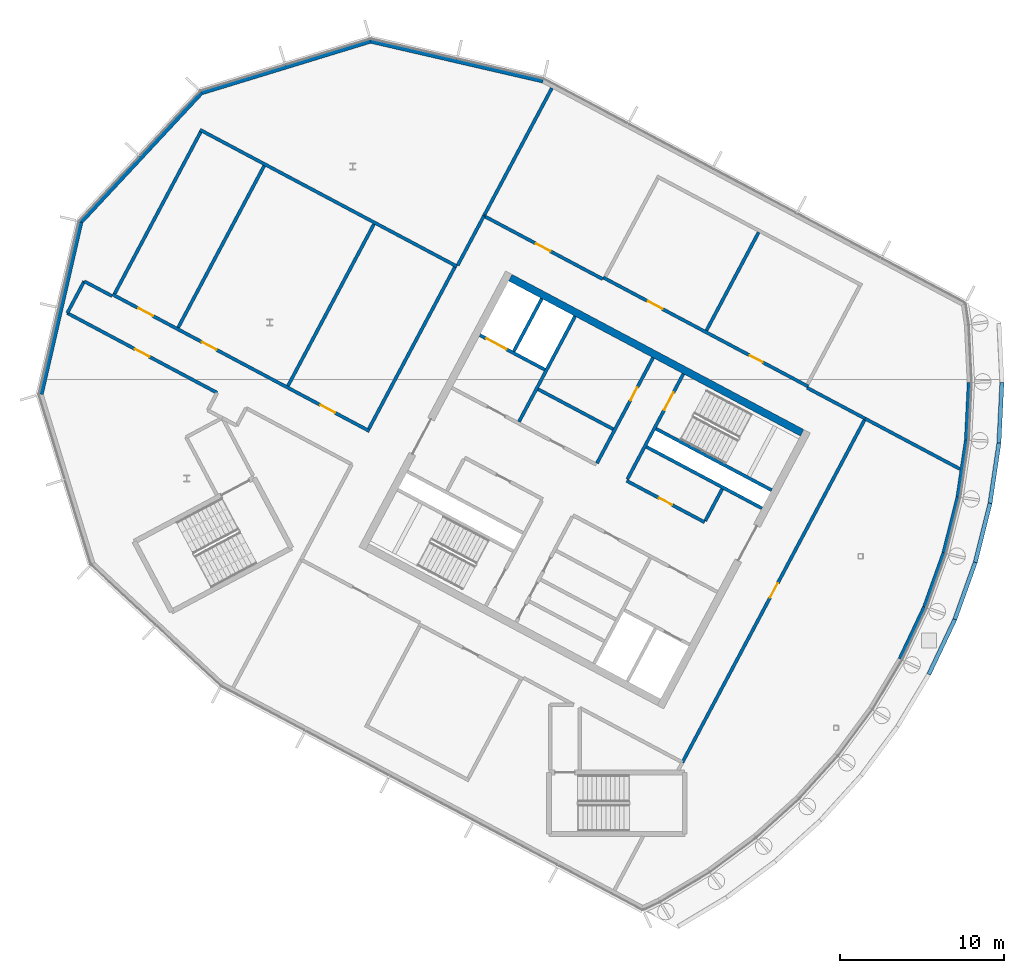
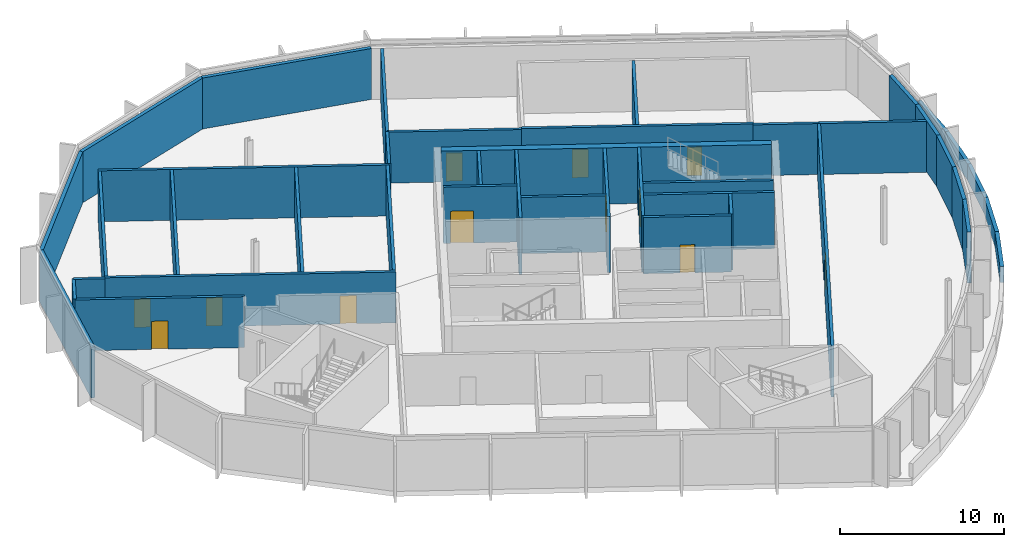
# One storey, part 7 of 12: 42 walls, 12 doors, 12 openings.
"""IFC4 building model written with IfcOpenShell, lengths in metres."""

from ifc_helpers import new_model, si_unit, direction, frame, frame_2d, origin, place, context, subcontext, project, spatial, rectangle, extrude, material, layer, layer_set, type_object, element, fill, save


model = new_model("IFC4")

# Units and contexts
model_context = context("Model", 3, precision=1e-05, world=origin(), true_north=direction((0.0, 1.0)))
body_context = subcontext(model_context, "Body", "Model", "MODEL_VIEW")
ifc_project = project(units=[si_unit("LENGTHUNIT", "METRE"), si_unit("AREAUNIT", "SQUARE_METRE"), si_unit("VOLUMEUNIT", "CUBIC_METRE"), si_unit("PLANEANGLEUNIT", "RADIAN"), si_unit("MASSUNIT", "GRAM", prefix="KILO")], contexts=[model_context])

# Site, building, storey
site_placement = place(None, origin())
site = spatial("IfcSite", under=ifc_project, at=site_placement, CompositionType="ELEMENT")
building_placement = place(site_placement, origin())
building = spatial("IfcBuilding", under=site, at=building_placement, Name="Cormorant Relay Tower", CompositionType="ELEMENT")
storey_placement = place(building_placement, frame((0.0, 0.0, 349.199951171875)))
storey = spatial("IfcBuildingStorey", under=building, at=storey_placement, Name="C6", CompositionType="ELEMENT", Elevation=349.199951171875)

# Wall
ifc_material_1 = material(Name="Concrete 50 MPa", Category="concrete")
ifc_layer_1 = layer(ifc_material_1, 0.199951171875)
ifc_layer_set_1 = layer_set([ifc_layer_1], Name="Core shaft wall 200")
wall_type_1 = type_object("IfcWallType", Name="Core shaft wall 200", PredefinedType="SHEAR", material=ifc_layer_set_1)
wall_1_placement = place(storey_placement, frame((-18.959716796875, 14.611328125, 0.0), z_axis=(0.0, 0.0, 1.0), x_axis=(-0.4694473164, -0.882960484464, 0.0)))
element("IfcWall", 1, at=wall_1_placement, inside=storey, type_object=wall_type_1, Name="C6 core A shaft wall", PredefinedType="SHEAR", context=body_context, shape_type="SweptSolid", body=[
    extrude(rectangle(XDim=2.199951171875, YDim=0.199951171875, at=frame_2d((1.10009765625, 0.0))), origin(), (0.0, 0.0, 1.0), 4.199951171875),
])

# Wall, opening, door
wall_2_placement = place(storey_placement, frame((-21.333251953125, 21.6494140625, 0.0), z_axis=(0.0, 0.0, 1.0), x_axis=(-0.469494272526, -0.882935517501, 0.0)))
wall_2 = element("IfcWall", 2, at=wall_2_placement, inside=storey, type_object=wall_type_1, Name="C6 core A shaft wall", PredefinedType="SHEAR", context=body_context, shape_type="SweptSolid", body=[
    extrude(rectangle(XDim=7.2998046875, YDim=0.199951171875, at=frame_2d((3.64990234375, 0.0))), origin(), (0.0, 0.0, 1.0), 4.199951171875),
])
opening_1_placement = place(wall_2_placement, frame((1.300048828125, 0.0, 0.0)))
opening_1 = element("IfcOpeningElement", 3, at=opening_1_placement, cuts=wall_2, Name="Opening CDB-044", PredefinedType="OPENING", context=body_context, shape_type="SweptSolid", body=[
    extrude(rectangle(XDim=1.199951171875, YDim=2.10009765625, at=frame_2d((0.60009765625, 1.050048828125))), frame((0.0, 0.10986328125, 0.0), z_axis=(0.0, -1.0, 0.0), x_axis=(1.0, 0.0, 0.0)), (0.0, 0.0, 1.0), 0.219970703125),
])
ifc_material_2 = material(Name="Steel fire door", Category="steel")
door_type_1 = type_object("IfcDoorType", Name="Core stair door 1200x2100", OperationType="SINGLE_SWING_LEFT", PredefinedType="DOOR", material=ifc_material_2)
door_1_placement = place(opening_1_placement, origin())
door_1 = element("IfcDoor", 4, at=door_1_placement, inside=storey, type_object=door_type_1, Name="Core stair door 1200x2100", OperationType="SINGLE_SWING_RIGHT", OverallHeight=2.10009765625, OverallWidth=1.199951171875, PredefinedType="DOOR", context=body_context, shape_type="SweptSolid", body=[
    extrude(rectangle(XDim=1.199951171875, YDim=2.10009765625, at=frame_2d((0.60009765625, 1.050048828125))), frame((0.0, 0.02490234375, 0.0), z_axis=(0.0, -1.0, 0.0), x_axis=(1.0, 0.0, 0.0)), (0.0, 0.0, 1.0), 0.050048828125),
])
fill(opening_1, door_1)

wall_3_placement = place(storey_placement, frame((-23.1875, 22.635498046875, 0.0), z_axis=(0.0, 0.0, 1.0), x_axis=(-0.469454336211, -0.882956752176, 0.0)))
wall_3 = element("IfcWall", 5, at=wall_3_placement, inside=storey, type_object=wall_type_1, Name="C6 core A shaft wall", PredefinedType="SHEAR", context=body_context, shape_type="SweptSolid", body=[
    extrude(rectangle(XDim=7.300048828125, YDim=0.199951171875, at=frame_2d((3.64990234375, 0.0))), origin(), (0.0, 0.0, 1.0), 4.199951171875),
])
opening_2_placement = place(wall_3_placement, frame((2.050048828125, 0.0, 0.0)))
opening_2 = element("IfcOpeningElement", 6, at=opening_2_placement, cuts=wall_3, Name="Opening CDD-393", PredefinedType="OPENING", context=body_context, shape_type="SweptSolid", body=[
    extrude(rectangle(XDim=0.89990234375, YDim=2.10009765625, at=frame_2d((0.449951171875, 1.050048828125))), frame((0.0, 0.10986328125, 0.0), z_axis=(0.0, -1.0, 0.0), x_axis=(1.0, 0.0, 0.0)), (0.0, 0.0, 1.0), 0.219970703125),
])
ifc_material_3 = material(Name="Steel fire door", Category="steel")
door_type_2 = type_object("IfcDoorType", Name="Core room door 900x2100", OperationType="SINGLE_SWING_LEFT", PredefinedType="DOOR", material=ifc_material_3)
door_2_placement = place(opening_2_placement, origin())
door_2 = element("IfcDoor", 7, at=door_2_placement, inside=storey, type_object=door_type_2, Name="Core room door 900x2100", OperationType="SINGLE_SWING_LEFT", OverallHeight=2.10009765625, OverallWidth=0.89990234375, PredefinedType="DOOR", context=body_context, shape_type="SweptSolid", body=[
    extrude(rectangle(XDim=0.89990234375, YDim=2.10009765625, at=frame_2d((0.449951171875, 1.050048828125))), frame((0.0, 0.02490234375, 0.0), z_axis=(0.0, -1.0, 0.0), x_axis=(1.0, 0.0, 0.0)), (0.0, 0.0, 1.0), 0.050048828125),
])
fill(opening_2, door_2)

# Walls
wall_4_placement = place(storey_placement, frame((-27.955322265625, 25.170654296875, 0.0), z_axis=(0.0, 0.0, 1.0), x_axis=(-0.469480409012, -0.88294288918, 0.0)))
element("IfcWall", 8, at=wall_4_placement, inside=storey, type_object=wall_type_1, Name="C6 core A shaft wall", PredefinedType="SHEAR", context=body_context, shape_type="SweptSolid", body=[
    extrude(rectangle(XDim=7.300048828125, YDim=0.199951171875, at=frame_2d((3.64990234375, 0.0))), origin(), (0.0, 0.0, 1.0), 4.199951171875),
])
wall_5_placement = place(storey_placement, frame((-29.986083984375, 26.250244140625, 0.0), z_axis=(0.0, 0.0, 1.0), x_axis=(-0.469494272526, -0.882935517501, 0.0)))
element("IfcWall", 9, at=wall_5_placement, inside=storey, type_object=wall_type_1, Name="C6 core A shaft wall", PredefinedType="SHEAR", context=body_context, shape_type="SweptSolid", body=[
    extrude(rectangle(XDim=3.64990234375, YDim=0.199951171875, at=frame_2d((1.824951171875, 0.0))), origin(), (0.0, 0.0, 1.0), 4.199951171875),
])
wall_6_placement = place(storey_placement, frame((-15.94189453125, 14.53564453125, 0.0), z_axis=(0.0, 0.0, 1.0), x_axis=(-0.882946947542, 0.469472776449, 0.0)))
element("IfcWall", 10, at=wall_6_placement, inside=storey, type_object=wall_type_1, Name="C6 core A shaft wall", PredefinedType="SHEAR", context=body_context, shape_type="SweptSolid", body=[
    extrude(rectangle(XDim=8.000244140625, YDim=0.199951171875, at=frame_2d((4.0, 0.0))), origin(), (0.0, 0.0, 1.0), 4.199951171875),
])

# Wall, opening, door
wall_7_placement = place(storey_placement, frame((-29.80419921875, 21.906494140625, 0.0), z_axis=(0.0, 0.0, 1.0), x_axis=(-0.882960433586, 0.469447412093, 0.0)))
wall_7 = element("IfcWall", 11, at=wall_7_placement, inside=storey, type_object=wall_type_1, Name="C6 core A shaft wall", PredefinedType="SHEAR", context=body_context, shape_type="SweptSolid", body=[
    extrude(rectangle(XDim=4.5, YDim=0.199951171875, at=frame_2d((2.25, 0.0))), origin(), (0.0, 0.0, 1.0), 4.199951171875),
])
opening_3_placement = place(wall_7_placement, frame((2.64990234375, 0.0, 0.0)))
opening_3 = element("IfcOpeningElement", 12, at=opening_3_placement, cuts=wall_7, Name="Opening LD3-017", PredefinedType="OPENING", context=body_context, shape_type="SweptSolid", body=[
    extrude(rectangle(XDim=1.39990234375, YDim=2.39990234375, at=frame_2d((0.699951171875, 1.199951171875))), frame((0.0, 0.10986328125, 0.0), z_axis=(0.0, -1.0, 0.0), x_axis=(1.0, 0.0, 0.0)), (0.0, 0.0, 1.0), 0.219970703125),
])
ifc_material_4 = material(Name="Stainless steel 316", Category="steel")
door_type_3 = type_object("IfcDoorType", Name="Lift landing door 1400x2400", OperationType="DOUBLE_DOOR_SLIDING", PredefinedType="DOOR", material=ifc_material_4)
door_3_placement = place(opening_3_placement, origin())
door_3 = element("IfcDoor", 13, at=door_3_placement, inside=storey, type_object=door_type_3, Name="SV1 landing door", OperationType="DOUBLE_DOOR_SLIDING", OverallHeight=2.39990234375, OverallWidth=1.39990234375, PredefinedType="DOOR", context=body_context, shape_type="SweptSolid", body=[
    extrude(rectangle(XDim=1.39990234375, YDim=2.39990234375, at=frame_2d((0.699951171875, 1.199951171875))), frame((0.0, 0.02490234375, 0.0), z_axis=(0.0, -1.0, 0.0), x_axis=(1.0, 0.0, 0.0)), (0.0, 0.0, 1.0), 0.050048828125),
])
fill(opening_3, door_3)

# Walls
wall_8_placement = place(storey_placement, frame((-16.52880859375, 13.43212890625, 0.0), z_axis=(0.0, 0.0, 1.0), x_axis=(-0.88295287151, 0.469461634952, 0.0)))
element("IfcWall", 14, at=wall_8_placement, inside=storey, type_object=wall_type_1, Name="C6 core A shaft wall", PredefinedType="SHEAR", context=body_context, shape_type="SweptSolid", body=[
    extrude(rectangle(XDim=7.999755859375, YDim=0.199951171875, at=frame_2d((4.0, 0.0))), origin(), (0.0, 0.0, 1.0), 4.199951171875),
])
wall_9_placement = place(storey_placement, frame((-25.623046875, 18.267578125, 0.0), z_axis=(0.0, 0.0, 1.0), x_axis=(-0.882953967957, 0.469459572775, 0.0)))
element("IfcWall", 15, at=wall_9_placement, inside=storey, type_object=wall_type_1, Name="C6 core A shaft wall", PredefinedType="SHEAR", context=body_context, shape_type="SweptSolid", body=[
    extrude(rectangle(XDim=5.199951171875, YDim=0.199951171875, at=frame_2d((2.60009765625, 0.0))), origin(), (0.0, 0.0, 1.0), 4.199951171875),
])

# Wall, opening, door
wall_10_placement = place(storey_placement, frame((-20.03955078125, 12.58056640625, 0.0), z_axis=(0.0, 0.0, 1.0), x_axis=(-0.882942972946, 0.469480251476, 0.0)))
wall_10 = element("IfcWall", 16, at=wall_10_placement, inside=storey, type_object=wall_type_1, Name="C6 core A shaft wall", PredefinedType="SHEAR", context=body_context, shape_type="SweptSolid", body=[
    extrude(rectangle(XDim=5.39990234375, YDim=0.199951171875, at=frame_2d((2.699951171875, 0.0))), origin(), (0.0, 0.0, 1.0), 4.199951171875),
])
opening_4_placement = place(wall_10_placement, frame((2.25, 0.0, 0.0)))
opening_4 = element("IfcOpeningElement", 17, at=opening_4_placement, cuts=wall_10, Name="Opening CDD-365", PredefinedType="OPENING", context=body_context, shape_type="SweptSolid", body=[
    extrude(rectangle(XDim=0.89990234375, YDim=2.10009765625, at=frame_2d((0.449951171875, 1.050048828125))), frame((0.0, 0.10986328125, 0.0), z_axis=(0.0, -1.0, 0.0), x_axis=(1.0, 0.0, 0.0)), (0.0, 0.0, 1.0), 0.219970703125),
])
door_4_placement = place(opening_4_placement, origin())
door_4 = element("IfcDoor", 18, at=door_4_placement, inside=storey, type_object=door_type_2, Name="Core room door 900x2100", OperationType="SINGLE_SWING_LEFT", OverallHeight=2.10009765625, OverallWidth=0.89990234375, PredefinedType="DOOR", context=body_context, shape_type="SweptSolid", body=[
    extrude(rectangle(XDim=0.89990234375, YDim=2.10009765625, at=frame_2d((0.449951171875, 1.050048828125))), frame((0.0, 0.02490234375, 0.0), z_axis=(0.0, -1.0, 0.0), x_axis=(1.0, 0.0, 0.0)), (0.0, 0.0, 1.0), 0.050048828125),
])
fill(opening_4, door_4)

# Wall
ifc_material_5 = material(Name="Concrete 50 MPa", Category="concrete")
ifc_layer_2 = layer(ifc_material_5, 0.449951171875)
ifc_layer_set_2 = layer_set([ifc_layer_2], Name="Core wall 450")
wall_type_2 = type_object("IfcWallType", Name="Core wall 450", PredefinedType="SHEAR", material=ifc_layer_set_2)
wall_11_placement = place(storey_placement, frame((-14.07568359375, 18.04541015625, 0.0), z_axis=(0.0, 0.0, 1.0), x_axis=(-0.882947755831, 0.46947125628, 0.0)))
element("IfcWall", 19, at=wall_11_placement, inside=storey, type_object=wall_type_2, Name="C6 core A wall", PredefinedType="SHEAR", context=body_context, shape_type="SweptSolid", body=[
    extrude(rectangle(XDim=20.2001953125, YDim=0.449951171875, at=frame_2d((10.10009765625, 0.0))), origin(), (0.0, 0.0, 1.0), 4.199951171875),
])

# Wall, openings, doors
ifc_material_6 = material(Name="Concrete 30 MPa block wall", Category="concrete")
ifc_layer_3 = layer(ifc_material_6, 0.199951171875)
ifc_layer_set_3 = layer_set([ifc_layer_3], Name="Crown plant room wall 200")
wall_type_3 = type_object("IfcWallType", Name="Crown plant room wall 200", PredefinedType="PARTITIONING", material=ifc_layer_set_3)
wall_12_placement = place(storey_placement, frame((-13.702880859375, 20.876708984375, 0.0), z_axis=(0.0, 0.0, 1.0), x_axis=(-0.882947150019, 0.469472395646, 0.0)))
wall_12 = element("IfcWall", 20, at=wall_12_placement, inside=storey, type_object=wall_type_3, Name="Plant room wall", PredefinedType="PARTITIONING", context=body_context, shape_type="SweptSolid", body=[
    extrude(rectangle(XDim=14.199951171875, YDim=0.199951171875, at=frame_2d((7.10009765625, 0.0))), origin(), (0.0, 0.0, 1.0), 3.7998046875),
])
opening_5_placement = place(wall_12_placement, frame((3.14990234375, 0.0, 0.0)))
opening_5 = element("IfcOpeningElement", 21, at=opening_5_placement, cuts=wall_12, Name="Opening CRD4-001", PredefinedType="OPENING", context=body_context, shape_type="SweptSolid", body=[
    extrude(rectangle(XDim=0.89990234375, YDim=2.10009765625, at=frame_2d((0.449951171875, 1.050048828125))), frame((0.0, 0.10986328125, 0.0), z_axis=(0.0, -1.0, 0.0), x_axis=(1.0, 0.0, 0.0)), (0.0, 0.0, 1.0), 0.219970703125),
])
opening_6_placement = place(wall_12_placement, frame((10.10009765625, 0.0, 0.0)))
opening_6 = element("IfcOpeningElement", 22, at=opening_6_placement, cuts=wall_12, Name="Opening CRD1-002", PredefinedType="OPENING", context=body_context, shape_type="SweptSolid", body=[
    extrude(rectangle(XDim=1.0, YDim=2.10009765625, at=frame_2d((0.5, 1.050048828125))), frame((0.0, 0.10986328125, 0.0), z_axis=(0.0, -1.0, 0.0), x_axis=(1.0, 0.0, 0.0)), (0.0, 0.0, 1.0), 0.219970703125),
])
ifc_material_7 = material(Name="Galvanised sheet steel ASTM A653 framed door leaf", Category="steel")
door_type_4 = type_object("IfcDoorType", Name="Crown door single 1000", OperationType="SINGLE_SWING_LEFT", PredefinedType="DOOR", material=ifc_material_7)
door_5_placement = place(opening_6_placement, frame((1.0, 0.0, 0.0), z_axis=(0.0, 0.0, 1.0), x_axis=(-1.0, 0.0, 0.0)))
door_5 = element("IfcDoor", 23, at=door_5_placement, inside=storey, type_object=door_type_4, Name="Fuel day tank room door", OperationType="SINGLE_SWING_RIGHT", OverallHeight=2.10009765625, OverallWidth=1.0, PredefinedType="DOOR", context=body_context, shape_type="SweptSolid", body=[
    extrude(rectangle(XDim=1.0, YDim=2.10009765625, at=frame_2d((0.5, 1.050048828125))), frame((0.0, 0.02490234375, 0.0), z_axis=(0.0, -1.0, 0.0), x_axis=(1.0, 0.0, 0.0)), (0.0, 0.0, 1.0), 0.050048828125),
])
fill(opening_6, door_5)
ifc_material_8 = material(Name="Galvanised sheet steel ASTM A653 framed door leaf", Category="steel")
door_type_5 = type_object("IfcDoorType", Name="Crown door single 900", OperationType="SINGLE_SWING_LEFT", PredefinedType="DOOR", material=ifc_material_8)
door_6_placement = place(opening_5_placement, frame((0.89990234375, 0.0, 0.0), z_axis=(0.0, 0.0, 1.0), x_axis=(-1.0, 0.0, 0.0)))
door_6 = element("IfcDoor", 24, at=door_6_placement, inside=storey, type_object=door_type_5, Name="Pump room door", OperationType="SINGLE_SWING_RIGHT", OverallHeight=2.10009765625, OverallWidth=0.89990234375, PredefinedType="DOOR", context=body_context, shape_type="SweptSolid", body=[
    extrude(rectangle(XDim=0.89990234375, YDim=2.10009765625, at=frame_2d((0.449951171875, 1.050048828125))), frame((0.0, 0.02490234375, 0.0), z_axis=(0.0, -1.0, 0.0), x_axis=(1.0, 0.0, 0.0)), (0.0, 0.0, 1.0), 0.050048828125),
])
fill(opening_5, door_6)

# Wall
wall_13_placement = place(storey_placement, frame((-35.1708984375, 28.21435546875, 0.0), z_axis=(0.0, 0.0, 1.0), x_axis=(-0.882952110828, 0.469463065622, 0.0)))
element("IfcWall", 25, at=wall_13_placement, inside=storey, type_object=wall_type_3, Name="Plant room wall", PredefinedType="PARTITIONING", context=body_context, shape_type="SweptSolid", body=[
    extrude(rectangle(XDim=17.800048828125, YDim=0.199951171875, at=frame_2d((8.89990234375, 0.0))), origin(), (0.0, 0.0, 1.0), 3.7998046875),
])

# Wall, openings, doors
wall_14_placement = place(storey_placement, frame((-40.52294921875, 18.148681640625, 0.0), z_axis=(0.0, 0.0, 1.0), x_axis=(-0.882946425434, 0.469473758387, 0.0)))
wall_14 = element("IfcWall", 26, at=wall_14_placement, inside=storey, type_object=wall_type_3, Name="Plant room wall", PredefinedType="PARTITIONING", context=body_context, shape_type="SweptSolid", body=[
    extrude(rectangle(XDim=17.800048828125, YDim=0.199951171875, at=frame_2d((8.89990234375, 0.0))), origin(), (0.0, 0.0, 1.0), 3.7998046875),
])
opening_7_placement = place(wall_14_placement, frame((2.39990234375, 0.0, 0.0)))
opening_7 = element("IfcOpeningElement", 27, at=opening_7_placement, cuts=wall_14, Name="Opening CRD1-003", PredefinedType="OPENING", context=body_context, shape_type="SweptSolid", body=[
    extrude(rectangle(XDim=1.0, YDim=2.10009765625, at=frame_2d((0.5, 1.050048828125))), frame((0.0, 0.10986328125, 0.0), z_axis=(0.0, -1.0, 0.0), x_axis=(1.0, 0.0, 0.0)), (0.0, 0.0, 1.0), 0.219970703125),
])
opening_8_placement = place(wall_14_placement, frame((10.60009765625, 0.0, 0.0)))
opening_8 = element("IfcOpeningElement", 28, at=opening_8_placement, cuts=wall_14, Name="Opening CRD1-004", PredefinedType="OPENING", context=body_context, shape_type="SweptSolid", body=[
    extrude(rectangle(XDim=1.0, YDim=2.10009765625, at=frame_2d((0.5, 1.050048828125))), frame((0.0, 0.10986328125, 0.0), z_axis=(0.0, -1.0, 0.0), x_axis=(1.0, 0.0, 0.0)), (0.0, 0.0, 1.0), 0.219970703125),
])
opening_9_placement = place(wall_14_placement, frame((15.0, 0.0, 0.0)))
opening_9 = element("IfcOpeningElement", 29, at=opening_9_placement, cuts=wall_14, Name="Opening CRD1-005", PredefinedType="OPENING", context=body_context, shape_type="SweptSolid", body=[
    extrude(rectangle(XDim=1.0, YDim=2.10009765625, at=frame_2d((0.5, 1.050048828125))), frame((0.0, 0.10986328125, 0.0), z_axis=(0.0, -1.0, 0.0), x_axis=(1.0, 0.0, 0.0)), (0.0, 0.0, 1.0), 0.219970703125),
])
door_7_placement = place(opening_7_placement, frame((1.0, 0.0, 0.0), z_axis=(0.0, 0.0, 1.0), x_axis=(-1.0, 0.0, 0.0)))
door_7 = element("IfcDoor", 30, at=door_7_placement, inside=storey, type_object=door_type_4, Name="Radio frequency room door", OperationType="SINGLE_SWING_RIGHT", OverallHeight=2.10009765625, OverallWidth=1.0, PredefinedType="DOOR", context=body_context, shape_type="SweptSolid", body=[
    extrude(rectangle(XDim=1.0, YDim=2.10009765625, at=frame_2d((0.5, 1.050048828125))), frame((0.0, 0.02490234375, 0.0), z_axis=(0.0, -1.0, 0.0), x_axis=(1.0, 0.0, 0.0)), (0.0, 0.0, 1.0), 0.050048828125),
])
fill(opening_7, door_7)
door_8_placement = place(opening_8_placement, frame((1.0, 0.0, 0.0), z_axis=(0.0, 0.0, 1.0), x_axis=(-1.0, 0.0, 0.0)))
door_8 = element("IfcDoor", 31, at=door_8_placement, inside=storey, type_object=door_type_4, Name="Antenna feeder room door", OperationType="SINGLE_SWING_RIGHT", OverallHeight=2.10009765625, OverallWidth=1.0, PredefinedType="DOOR", context=body_context, shape_type="SweptSolid", body=[
    extrude(rectangle(XDim=1.0, YDim=2.10009765625, at=frame_2d((0.5, 1.050048828125))), frame((0.0, 0.02490234375, 0.0), z_axis=(0.0, -1.0, 0.0), x_axis=(1.0, 0.0, 0.0)), (0.0, 0.0, 1.0), 0.050048828125),
])
fill(opening_8, door_8)
door_9_placement = place(opening_9_placement, frame((1.0, 0.0, 0.0), z_axis=(0.0, 0.0, 1.0), x_axis=(-1.0, 0.0, 0.0)))
door_9 = element("IfcDoor", 32, at=door_9_placement, inside=storey, type_object=door_type_4, Name="Telecom equipment room door", OperationType="SINGLE_SWING_RIGHT", OverallHeight=2.10009765625, OverallWidth=1.0, PredefinedType="DOOR", context=body_context, shape_type="SweptSolid", body=[
    extrude(rectangle(XDim=1.0, YDim=2.10009765625, at=frame_2d((0.5, 1.050048828125))), frame((0.0, 0.02490234375, 0.0), z_axis=(0.0, -1.0, 0.0), x_axis=(1.0, 0.0, 0.0)), (0.0, 0.0, 1.0), 0.050048828125),
])
fill(opening_9, door_9)

# Walls
wall_15_placement = place(storey_placement, frame((-16.732421875, 30.302490234375, 0.0), z_axis=(0.0, 0.0, 1.0), x_axis=(-0.469462324734, -0.882952504756, 0.0)))
element("IfcWall", 33, at=wall_15_placement, inside=storey, type_object=wall_type_3, Name="Plant room wall", PredefinedType="PARTITIONING", context=body_context, shape_type="SweptSolid", body=[
    extrude(rectangle(XDim=6.800048828125, YDim=0.199951171875, at=frame_2d((3.39990234375, 0.0))), origin(), (0.0, 0.0, 1.0), 3.7998046875),
])
for number, where, z_axis, x_axis, name in (
    (34, (-35.306396484375, 28.173095703125, 0.0), (0.0, 0.0, 1.0), (-0.469447393298, -0.882960443579, 0.0), "Plant room wall"),
    (35, (-40.250732421875, 30.802001953125, 0.0), (0.0, 0.0, 1.0), (-0.469473423128, -0.882946603695, 0.0), "Plant room wall"),
):
    element("IfcWall", number, at=place(storey_placement, frame(where, z_axis=z_axis, x_axis=x_axis)), inside=storey, type_object=wall_type_3, Name=name, PredefinedType="PARTITIONING", context=body_context, shape_type="SweptSolid", body=[
        extrude(rectangle(XDim=11.199951171875, YDim=0.199951171875, at=frame_2d((5.60009765625, 0.0))), origin(), (0.0, 0.0, 1.0), 3.7998046875),
    ])
for number, where, z_axis, x_axis, name in (
    (36, (-46.961181640625, 34.3701171875, 0.0), (0.0, 0.0, 1.0), (-0.46946438738, -0.882951408052, 0.0), "Plant room wall"),
    (37, (-50.84619140625, 36.435791015625, 0.0), (0.0, 0.0, 1.0), (-0.46946438738, -0.882951408052, 0.0), "Plant room wall"),
):
    element("IfcWall", number, at=place(storey_placement, frame(where, z_axis=z_axis, x_axis=x_axis)), inside=storey, type_object=wall_type_3, Name=name, PredefinedType="PARTITIONING", context=body_context, shape_type="SweptSolid", body=[
        extrude(rectangle(XDim=11.2001953125, YDim=0.199951171875, at=frame_2d((5.60009765625, 0.0))), origin(), (0.0, 0.0, 1.0), 3.7998046875),
    ])
wall_16_placement = place(storey_placement, frame((-57.964111328125, 27.30908203125, 0.0), z_axis=(0.0, 0.0, 1.0), x_axis=(0.882957622595, -0.46945269911, 0.0)))
element("IfcWall", 38, at=wall_16_placement, inside=storey, type_object=wall_type_3, Name="Plant room wall", PredefinedType="PARTITIONING", context=body_context, shape_type="SweptSolid", body=[
    extrude(rectangle(XDim=1.919921875, YDim=0.199951171875, at=frame_2d((0.9599609375, 0.0))), origin(), (0.0, 0.0, 1.0), 3.7998046875),
])
wall_17_placement = place(storey_placement, frame((-35.13330078125, 28.284912109375, 0.0), z_axis=(0.0, 0.0, 1.0), x_axis=(0.469431829014, 0.882968718533, 0.0)))
element("IfcWall", 39, at=wall_17_placement, inside=storey, type_object=wall_type_3, Name="Plant room wall", PredefinedType="PARTITIONING", context=body_context, shape_type="SweptSolid", body=[
    extrude(rectangle(XDim=3.419921875, YDim=0.199951171875, at=frame_2d((1.7099609375, 0.0))), origin(), (0.0, 0.0, 1.0), 3.7998046875),
])

# Wall, opening, door
wall_18_placement = place(storey_placement, frame((-49.83740234375, 20.49169921875, 0.0), z_axis=(0.0, 0.0, 1.0), x_axis=(-0.882753842136, 0.469835773643, 0.0)))
wall_18 = element("IfcWall", 40, at=wall_18_placement, inside=storey, type_object=wall_type_3, Name="Plant room wall", PredefinedType="PARTITIONING", context=body_context, shape_type="SweptSolid", body=[
    extrude(rectangle(XDim=10.3759765625, YDim=0.199951171875, at=frame_2d((5.18798828125, 0.0))), origin(), (0.0, 0.0, 1.0), 3.7998046875),
])
opening_10_placement = place(wall_18_placement, frame((4.68798828125, 0.0, 0.0)))
opening_10 = element("IfcOpeningElement", 41, at=opening_10_placement, cuts=wall_18, Name="Opening CRD1-007", PredefinedType="OPENING", context=body_context, shape_type="SweptSolid", body=[
    extrude(rectangle(XDim=1.0, YDim=2.10009765625, at=frame_2d((0.5, 1.050048828125))), frame((0.0, 0.10986328125, 0.0), z_axis=(0.0, -1.0, 0.0), x_axis=(1.0, 0.0, 0.0)), (0.0, 0.0, 1.0), 0.219970703125),
])
door_10_placement = place(opening_10_placement, origin())
door_10 = element("IfcDoor", 42, at=door_10_placement, inside=storey, type_object=door_type_4, Name="Network operations centre door", OperationType="SINGLE_SWING_LEFT", OverallHeight=2.10009765625, OverallWidth=1.0, PredefinedType="DOOR", context=body_context, shape_type="SweptSolid", body=[
    extrude(rectangle(XDim=1.0, YDim=2.10009765625, at=frame_2d((0.5, 1.050048828125))), frame((0.0, 0.02490234375, 0.0), z_axis=(0.0, -1.0, 0.0), x_axis=(1.0, 0.0, 0.0)), (0.0, 0.0, 1.0), 0.050048828125),
])
fill(opening_10, door_10)

# Wall
wall_19_placement = place(storey_placement, frame((-58.996826171875, 25.36669921875, 0.0), z_axis=(0.0, 0.0, 1.0), x_axis=(0.4694473164, 0.882960484464, 0.0)))
element("IfcWall", 43, at=wall_19_placement, inside=storey, type_object=wall_type_3, Name="Plant room wall", PredefinedType="PARTITIONING", context=body_context, shape_type="SweptSolid", body=[
    extrude(rectangle(XDim=2.199951171875, YDim=0.199951171875, at=frame_2d((1.10009765625, 0.0))), origin(), (0.0, 0.0, 1.0), 3.7998046875),
])

# Wall, opening, door
wall_20_placement = place(storey_placement, frame((-33.52783203125, 31.3046875, 0.0), z_axis=(0.0, 0.0, 1.0), x_axis=(0.882943382095, -0.469479481996, 0.0)))
wall_20 = element("IfcWall", 44, at=wall_20_placement, inside=storey, type_object=wall_type_3, Name="Plant room wall", PredefinedType="PARTITIONING", context=body_context, shape_type="SweptSolid", body=[
    extrude(rectangle(XDim=8.219970703125, YDim=0.199951171875, at=frame_2d((4.10986328125, 0.0))), origin(), (0.0, 0.0, 1.0), 3.7998046875),
])
opening_11_placement = place(wall_20_placement, frame((3.610107421875, 0.0, 0.0)))
opening_11 = element("IfcOpeningElement", 45, at=opening_11_placement, cuts=wall_20, Name="Opening CRD1-010", PredefinedType="OPENING", context=body_context, shape_type="SweptSolid", body=[
    extrude(rectangle(XDim=1.0, YDim=2.10009765625, at=frame_2d((0.5, 1.050048828125))), frame((0.0, 0.10986328125, 0.0), z_axis=(0.0, -1.0, 0.0), x_axis=(1.0, 0.0, 0.0)), (0.0, 0.0, 1.0), 0.219970703125),
])
door_11_placement = place(opening_11_placement, origin())
door_11 = element("IfcDoor", 46, at=door_11_placement, inside=storey, type_object=door_type_4, Name="Telecom equipment room door", OperationType="SINGLE_SWING_RIGHT", OverallHeight=2.10009765625, OverallWidth=1.0, PredefinedType="DOOR", context=body_context, shape_type="SweptSolid", body=[
    extrude(rectangle(XDim=1.0, YDim=2.10009765625, at=frame_2d((0.5, 1.050048828125))), frame((0.0, 0.02490234375, 0.0), z_axis=(0.0, -1.0, 0.0), x_axis=(1.0, 0.0, 0.0)), (0.0, 0.0, 1.0), 0.050048828125),
])
fill(opening_11, door_11)

# Wall
wall_21_placement = place(storey_placement, frame((-13.767578125, 20.7978515625, 0.0), z_axis=(0.0, 0.0, 1.0), x_axis=(0.882960769226, -0.469446780805, 0.0)))
element("IfcWall", 47, at=wall_21_placement, inside=storey, type_object=wall_type_3, Name="Plant room wall", PredefinedType="PARTITIONING", context=body_context, shape_type="SweptSolid", body=[
    extrude(rectangle(XDim=4.02001953125, YDim=0.199951171875, at=frame_2d((2.010009765625, 0.0))), origin(), (0.0, 0.0, 1.0), 3.7998046875),
])

# Wall, opening, door
wall_22_placement = place(storey_placement, frame((-10.218017578125, 18.91064453125, 0.0), z_axis=(0.0, 0.0, 1.0), x_axis=(-0.469468702847, -0.882949113509, 0.0)))
wall_22 = element("IfcWall", 48, at=wall_22_placement, inside=storey, type_object=wall_type_3, Name="Plant room wall", PredefinedType="PARTITIONING", context=body_context, shape_type="SweptSolid", body=[
    extrude(rectangle(XDim=23.800048828125, YDim=0.199951171875, at=frame_2d((11.89990234375, 0.0))), origin(), (0.0, 0.0, 1.0), 3.7998046875),
])
opening_12_placement = place(wall_22_placement, frame((11.39990234375, 0.0, 0.0)))
opening_12 = element("IfcOpeningElement", 49, at=opening_12_placement, cuts=wall_22, Name="Opening CRD1-015", PredefinedType="OPENING", context=body_context, shape_type="SweptSolid", body=[
    extrude(rectangle(XDim=1.0, YDim=2.10009765625, at=frame_2d((0.5, 1.050048828125))), frame((0.0, 0.10986328125, 0.0), z_axis=(0.0, -1.0, 0.0), x_axis=(1.0, 0.0, 0.0)), (0.0, 0.0, 1.0), 0.219970703125),
])
door_12_placement = place(opening_12_placement, origin())
door_12 = element("IfcDoor", 50, at=door_12_placement, inside=storey, type_object=door_type_4, Name="Cooling tower pump room door", OperationType="SINGLE_SWING_LEFT", OverallHeight=2.10009765625, OverallWidth=1.0, PredefinedType="DOOR", context=body_context, shape_type="SweptSolid", body=[
    extrude(rectangle(XDim=1.0, YDim=2.10009765625, at=frame_2d((0.5, 1.050048828125))), frame((0.0, 0.02490234375, 0.0), z_axis=(0.0, -1.0, 0.0), x_axis=(1.0, 0.0, 0.0)), (0.0, 0.0, 1.0), 0.050048828125),
])
fill(opening_12, door_12)

# Walls
wall_23_placement = place(storey_placement, frame((-29.3740234375, 39.119140625, 0.0), z_axis=(0.0, 0.0, 1.0), x_axis=(-0.469467804358, -0.88294959124, 0.0)))
element("IfcWall", 51, at=wall_23_placement, inside=storey, type_object=wall_type_3, Name="Plant room wall", PredefinedType="PARTITIONING", context=body_context, shape_type="SweptSolid", body=[
    extrude(rectangle(XDim=8.86962890625, YDim=0.199951171875, at=frame_2d((4.434814453125, 0.0))), origin(), (0.0, 0.0, 1.0), 3.7998046875),
])
wall_24_placement = place(storey_placement, frame((-4.4208984375, 15.829345703125, 0.0), z_axis=(0.0, 0.0, 1.0), x_axis=(-0.883026406129, 0.469323306558, 0.0)))
element("IfcWall", 52, at=wall_24_placement, inside=storey, type_object=wall_type_3, Name="Plant room wall", PredefinedType="PARTITIONING", context=body_context, shape_type="SweptSolid", body=[
    extrude(rectangle(XDim=6.584228515625, YDim=0.199951171875, at=frame_2d((3.2919921875, 0.0))), origin(), (0.0, 0.0, 1.0), 3.7998046875),
])
ifc_material_9 = material(Name="Bronze cladding on Concrete 30 MPa block wall", Category="concrete")
ifc_layer_4 = layer(ifc_material_9, 0.25)
ifc_layer_set_4 = layer_set([ifc_layer_4], Name="Crown wall 250")
wall_type_4 = type_object("IfcWallType", Name="Crown wall 250", PredefinedType="STANDARD", material=ifc_layer_set_4)
for number, where, z_axis, x_axis, name in (
    (53, (-60.590576171875, 20.397705078125, 0.0), (0.0, 0.0, 1.0), (0.224943678254, 0.97437176766, 0.0), "Crown wall C6"),
    (54, (-58.160400390625, 30.92431640625, 0.0), (0.0, 0.0, 1.0), (0.681998532518, 0.731353540802, 0.0), "Crown wall C6"),
):
    element("IfcWall", number, at=place(storey_placement, frame(where, z_axis=z_axis, x_axis=x_axis)), inside=storey, type_object=wall_type_4, Name=name, PredefinedType="STANDARD", context=body_context, shape_type="SweptSolid", body=[
        extrude(rectangle(XDim=10.803466796875, YDim=0.25, at=frame_2d((5.40185546875, 0.0))), origin(), (0.0, 0.0, 1.0), 3.7998046875),
    ])
wall_25_placement = place(storey_placement, frame((-50.79248046875, 38.825439453125, 0.0), z_axis=(0.0, 0.0, 1.0), x_axis=(0.95630419349, 0.292373544482, 0.0)))
element("IfcWall", 55, at=wall_25_placement, inside=storey, type_object=wall_type_4, Name="Crown wall C6", PredefinedType="STANDARD", context=body_context, shape_type="SweptSolid", body=[
    extrude(rectangle(XDim=10.8037109375, YDim=0.25, at=frame_2d((5.40185546875, 0.0))), origin(), (0.0, 0.0, 1.0), 3.7998046875),
])
wall_26_placement = place(storey_placement, frame((-40.4609375, 41.984130859375, 0.0), z_axis=(0.0, 0.0, 1.0), x_axis=(0.974369134847, -0.224955082309, 0.0)))
element("IfcWall", 56, at=wall_26_placement, inside=storey, type_object=wall_type_4, Name="Crown wall C6", PredefinedType="STANDARD", context=body_context, shape_type="SweptSolid", body=[
    extrude(rectangle(XDim=10.8203125, YDim=0.25, at=frame_2d((5.41015625, 0.0))), origin(), (0.0, 0.0, 1.0), 3.7998046875),
])
for number, where, z_axis, x_axis, name in (
    (57, (-3.85791015625, 21.126220703125, 0.0), (0.0, 0.0, 1.0), (-0.049027964051, -0.998797406255, 0.0), "Crown wall C6"),
    (58, (-4.030517578125, 17.60986328125, 0.0), (0.0, 0.0, 1.0), (-0.14673966697, -0.98917514634, 0.0), "Crown wall C6"),
    (59, (-4.547119140625, 14.12744140625, 0.0), (0.0, 0.0, 1.0), (-0.242992473595, -0.970028173702, 0.0), "Crown wall C6"),
):
    element("IfcWall", number, at=place(storey_placement, frame(where, z_axis=z_axis, x_axis=x_axis)), inside=storey, type_object=wall_type_4, Name=name, PredefinedType="STANDARD", context=body_context, shape_type="SweptSolid", body=[
        extrude(rectangle(XDim=3.5205078125, YDim=0.25, at=frame_2d((1.76025390625, 0.0))), origin(), (0.0, 0.0, 1.0), 3.7998046875),
    ])
wall_27_placement = place(storey_placement, frame((-5.402587890625, 10.71240234375, 0.0), z_axis=(0.0, 0.0, 1.0), x_axis=(-0.336872266703, -0.941550357616, 0.0)))
element("IfcWall", 60, at=wall_27_placement, inside=storey, type_object=wall_type_4, Name="Crown wall C6", PredefinedType="STANDARD", context=body_context, shape_type="SweptSolid", body=[
    extrude(rectangle(XDim=3.520751953125, YDim=0.25, at=frame_2d((1.76025390625, 0.0))), origin(), (0.0, 0.0, 1.0), 3.7998046875),
])
wall_28_placement = place(storey_placement, frame((-6.588623046875, 7.3974609375, 0.0), z_axis=(0.0, 0.0, 1.0), x_axis=(-0.427522858241, -0.904004538529, 0.0)))
element("IfcWall", 61, at=wall_28_placement, inside=storey, type_object=wall_type_4, Name="Crown wall C6", PredefinedType="STANDARD", context=body_context, shape_type="SweptSolid", body=[
    extrude(rectangle(XDim=3.5205078125, YDim=0.25, at=frame_2d((1.76025390625, 0.0))), origin(), (0.0, 0.0, 1.0), 3.7998046875),
])
ifc_material_10 = material(Name="Bronze cladding on Concrete 30 MPa block wall", Category="concrete")
ifc_layer_5 = layer(ifc_material_10, 0.25)
ifc_layer_set_5 = layer_set([ifc_layer_5], Name="Parapet 250")
wall_type_5 = type_object("IfcWallType", Name="Parapet 250", PredefinedType="PARAPET", material=ifc_layer_set_5)
for number, where, z_axis, x_axis, name in (
    (62, (-1.85791015625, 21.126220703125, 0.0), (0.0, 0.0, 1.0), (-0.049066175246, -0.998795529849, 0.0), "Terrace parapet C5"),
    (63, (-2.040283203125, 17.413818359375, 0.0), (0.0, 0.0, 1.0), (-0.14667959342, -0.989184056116, 0.0), "Terrace parapet C5"),
):
    element("IfcWall", number, at=place(storey_placement, frame(where, z_axis=z_axis, x_axis=x_axis)), inside=storey, type_object=wall_type_5, Name=name, PredefinedType="PARAPET", context=body_context, shape_type="SweptSolid", body=[
        extrude(rectangle(XDim=3.716796875, YDim=0.25, at=frame_2d((1.8583984375, 0.0))), origin(), (0.0, 0.0, 1.0), 1.199951171875),
    ])
wall_29_placement = place(storey_placement, frame((-2.58544921875, 13.7373046875, 0.0), z_axis=(0.0, 0.0, 1.0), x_axis=(-0.24301467049, -0.970022613101, 0.0)))
element("IfcWall", 64, at=wall_29_placement, inside=storey, type_object=wall_type_5, Name="Terrace parapet C5", PredefinedType="PARAPET", context=body_context, shape_type="SweptSolid", body=[
    extrude(rectangle(XDim=3.717041015625, YDim=0.25, at=frame_2d((1.8583984375, 0.0))), origin(), (0.0, 0.0, 1.0), 1.199951171875),
])
for number, where, z_axis, x_axis, name in (
    (65, (-3.48876953125, 10.131591796875, 0.0), (0.0, 0.0, 1.0), (-0.336844012176, -0.941560466173, 0.0), "Terrace parapet C5"),
    (66, (-4.74072265625, 6.632080078125, 0.0), (0.0, 0.0, 1.0), (-0.42761192427, -0.903962411952, 0.0), "Terrace parapet C5"),
):
    element("IfcWall", number, at=place(storey_placement, frame(where, z_axis=z_axis, x_axis=x_axis)), inside=storey, type_object=wall_type_5, Name=name, PredefinedType="PARAPET", context=body_context, shape_type="SweptSolid", body=[
        extrude(rectangle(XDim=3.716796875, YDim=0.25, at=frame_2d((1.8583984375, 0.0))), origin(), (0.0, 0.0, 1.0), 1.199951171875),
    ])

save(model, "model.ifc")
